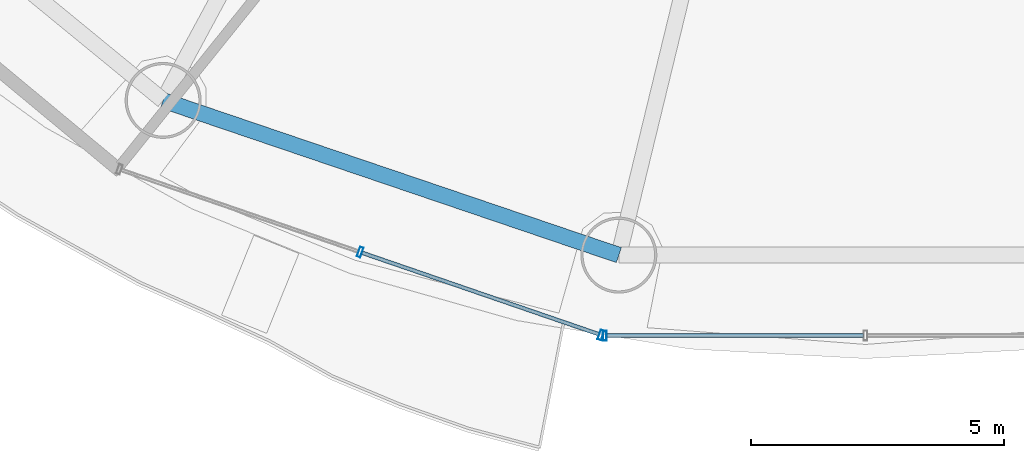
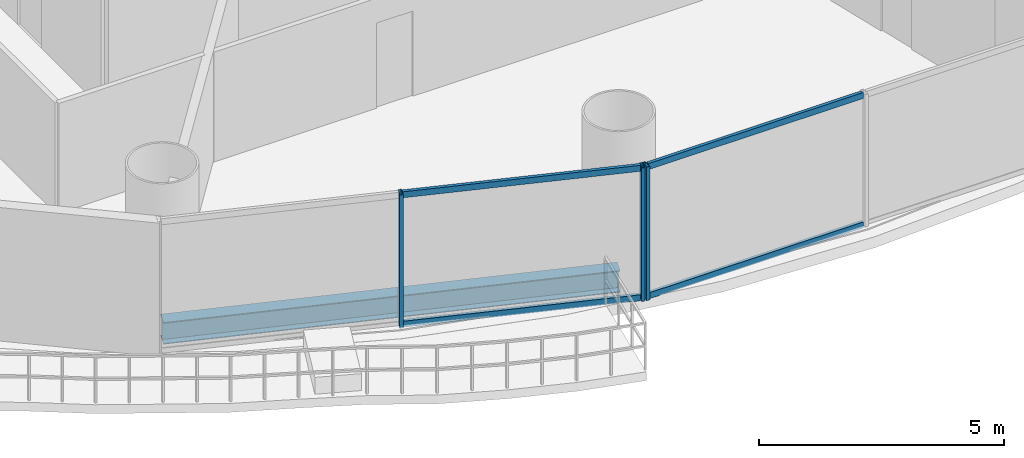
# One storey, part 4 of 29: 7 members, 1 beam, 2 elements without a shape of their own.
"""IFC4 building model written with IfcOpenShell, lengths in metres."""

from ifc_helpers import new_model, si_unit, direction, frame, origin, origin_2d, place, context, subcontext, project, spatial, hollow_rectangle, i_section, extrude, source, transform, mapped, material, material_profile, profile_set, type_object, element, aggregate, save


model = new_model("IFC4")

# Units and contexts
model_context = context("Model", 3, precision=1e-05, world=origin(), true_north=direction((-0.2419218956, 0.970295726276)))
body_context = subcontext(model_context, "Body", "Model", "MODEL_VIEW")
ifc_project = project(units=[si_unit("LENGTHUNIT", "METRE"), si_unit("AREAUNIT", "SQUARE_METRE"), si_unit("VOLUMEUNIT", "CUBIC_METRE"), si_unit("PLANEANGLEUNIT", "RADIAN"), si_unit("MASSUNIT", "GRAM", prefix="KILO")], contexts=[model_context])

# Site, building, storey
site_placement = place(None, origin())
site = spatial("IfcSite", under=ifc_project, at=site_placement, CompositionType="ELEMENT")
building_placement = place(site_placement, origin())
building = spatial("IfcBuilding", under=site, at=building_placement, Name="Cobrevalo Terracotta Tower", CompositionType="ELEMENT")
storey_placement = place(building_placement, frame((0.0, 0.0, 119.39990234375)))
storey = spatial("IfcBuildingStorey", under=building, at=storey_placement, Name="L31", CompositionType="ELEMENT", Elevation=119.39990234375)

# Beam
ifc_material_1 = material(Name="Steel S355", Category="steel")
ifc_material_profile_1 = material_profile(ifc_material_1, i_section(OverallWidth=0.31201171875, OverallDepth=0.54296875, WebThickness=0.0126953125, FlangeThickness=0.020263671875, at=origin_2d()), Name="W 530x150")
ifc_profile_set_1 = profile_set([ifc_material_profile_1], Name="Steel S355")
beam_type = type_object("IfcBeamType", Name="Structural Spandrel W 530x150 (Steel S355)", PredefinedType="SPANDREL", material=ifc_profile_set_1)
beam_placement = place(storey_placement, frame((24.138427734375, 9.79638671875, -0.54638671875), z_axis=(0.94691835344, -0.321474154356, 0.0), x_axis=(0.321474154356, 0.94691835344, 0.0)))
element("IfcBeam", 1, at=beam_placement, inside=storey, type_object=beam_type, Name="L31 perimeter ring spandrel 11", PredefinedType="SPANDREL", context=body_context, shape_type="SweptSolid", body=[
    extrude(i_section(OverallWidth=0.31201171875, OverallDepth=0.54296875, WebThickness=0.0126953125, FlangeThickness=0.020263671875, at=origin_2d()), origin(), (0.0, 0.0, 1.0), 9.498291015625),
])

# Curtain wall, members
ifc_material_2 = material(Name="Anodized aluminium", Category="aluminium")
curtain_wall_type = type_object("IfcCurtainWallType", Name="Lower-tower unitised acoustic low-E curtain wall CW-U1", PredefinedType="NOTDEFINED", material=ifc_material_2)
curtain_wall_1_placement = place(storey_placement, origin())
curtain_wall_1 = element("IfcCurtainWall", 2, at=curtain_wall_1_placement, inside=storey, type_object=curtain_wall_type, Name="L31 curtain wall CW-L31-S11", PredefinedType="NOTDEFINED")
ifc_material_profile_2 = material_profile(ifc_material_2, hollow_rectangle(XDim=0.074951171875, YDim=0.14990234375, WallThickness=0.00439453125, at=origin_2d()), Name="CWT 75x150")
ifc_profile_set_2 = profile_set([ifc_material_profile_2], Name="Anodized aluminium")
member_type_1 = type_object("IfcMemberType", Name="Tower unitised aluminium transom 75x150", PredefinedType="USERDEFINED", material=ifc_profile_set_2)
shared_shape_1 = source(origin(), body_context, "Body", "SweptSolid", [
    extrude(hollow_rectangle(XDim=0.074951171875, YDim=0.14990234375, WallThickness=0.00439453125, at=origin_2d()), origin(), (0.0, 0.0, 1.0), 4.944580078125),
])
member_1_placement = place(storey_placement, frame((28.065185546875, 6.788818359375, 0.050048828125), z_axis=(0.945597859971, -0.32533780478, 0.0), x_axis=(0.32533780478, 0.945597859971, 0.0)))
member_1 = element("IfcMember", 3, at=member_1_placement, type_object=member_type_1, Name="CW-L31-S11 transom B02-T1", ObjectType="TRANSOM", PredefinedType="USERDEFINED", context=body_context, shape_type="MappedRepresentation", body=[
    mapped(shared_shape_1, transform((0.0, 0.0, 0.0), scale=1.0)),
])
member_2_placement = place(storey_placement, frame((28.065185546875, 6.788818359375, 3.275146484375), z_axis=(0.945597859971, -0.32533780478, 0.0), x_axis=(0.32533780478, 0.945597859971, 0.0)))
member_2 = element("IfcMember", 4, at=member_2_placement, type_object=member_type_1, Name="CW-L31-S11 transom B02-T2", ObjectType="TRANSOM", PredefinedType="USERDEFINED", context=body_context, shape_type="MappedRepresentation", body=[
    mapped(shared_shape_1, transform((0.0, 0.0, 0.0), scale=1.0)),
])

curtain_wall_2_placement = place(storey_placement, origin())
curtain_wall_2 = element("IfcCurtainWall", 5, at=curtain_wall_2_placement, inside=storey, type_object=curtain_wall_type, Name="L31 curtain wall CW-L31-S12", PredefinedType="NOTDEFINED")
shared_shape_2 = source(origin(), body_context, "Body", "SweptSolid", [
    extrude(hollow_rectangle(XDim=0.074951171875, YDim=0.14990234375, WallThickness=0.00439453125, at=origin_2d()), origin(), (0.0, 0.0, 1.0), 5.0634765625),
])
member_3_placement = place(storey_placement, frame((32.896484375, 5.154052734375, 0.050048828125), z_axis=(1.0, 0.0, 0.0), x_axis=(0.0, 1.0, 0.0)))
member_3 = element("IfcMember", 6, at=member_3_placement, type_object=member_type_1, Name="CW-L31-S12 transom B01-T1", ObjectType="TRANSOM", PredefinedType="USERDEFINED", context=body_context, shape_type="MappedRepresentation", body=[
    mapped(shared_shape_2, transform((0.0, 0.0, 0.0), scale=1.0)),
])
member_4_placement = place(storey_placement, frame((32.896484375, 5.154052734375, 3.275146484375), z_axis=(1.0, 0.0, 0.0), x_axis=(0.0, 1.0, 0.0)))
member_4 = element("IfcMember", 7, at=member_4_placement, type_object=member_type_1, Name="CW-L31-S12 transom B01-T2", ObjectType="TRANSOM", PredefinedType="USERDEFINED", context=body_context, shape_type="MappedRepresentation", body=[
    mapped(shared_shape_2, transform((0.0, 0.0, 0.0), scale=1.0)),
])

# Member
ifc_material_profile_3 = material_profile(ifc_material_2, hollow_rectangle(XDim=0.074951171875, YDim=0.199951171875, WallThickness=0.0048828125, at=origin_2d()), Name="CWM 75x200")
ifc_profile_set_3 = profile_set([ifc_material_profile_3], Name="Anodized aluminium")
member_type_2 = type_object("IfcMemberType", Name="Lower/mid tower unitised mullion 75x200", PredefinedType="MULLION", material=ifc_profile_set_3)
shared_shape_3 = source(origin(), body_context, "Body", "SweptSolid", [
    extrude(hollow_rectangle(XDim=0.074951171875, YDim=0.199951171875, WallThickness=0.0048828125, at=origin_2d()), origin(), (0.0, 0.0, 1.0), 3.3251953125),
])
member_5_placement = place(storey_placement, frame((28.027587890625, 6.8017578125, 0.0), z_axis=(0.0, 0.0, 1.0), x_axis=(0.94559809868, -0.325337110968, 0.0)))
member_5 = element("IfcMember", 8, at=member_5_placement, type_object=member_type_2, Name="CW-L31-S11 vertical mullion 02", PredefinedType="MULLION", context=body_context, shape_type="MappedRepresentation", body=[
    mapped(shared_shape_3, transform((0.0, 0.0, 0.0), scale=1.0)),
])

member_6_placement = place(storey_placement, frame((32.778564453125, 5.1669921875, 0.0), z_axis=(0.0, 0.0, 1.0), x_axis=(0.94559809868, -0.325337110968, 0.0)))
member_6 = element("IfcMember", 9, at=member_6_placement, type_object=member_type_2, Name="CW-L31-S11 vertical mullion 03", PredefinedType="MULLION", context=body_context, shape_type="MappedRepresentation", body=[
    mapped(shared_shape_3, transform((0.0, 0.0, 0.0), scale=1.0)),
])

aggregate(curtain_wall_1, [member_5, member_6, member_1, member_2])

member_7_placement = place(storey_placement, frame((32.8564453125, 5.154052734375, 0.0), z_axis=(0.0, 0.0, 1.0), x_axis=(1.0, 0.0, 0.0)))
member_7 = element("IfcMember", 10, at=member_7_placement, type_object=member_type_2, Name="CW-L31-S12 vertical mullion 01", PredefinedType="MULLION", context=body_context, shape_type="MappedRepresentation", body=[
    mapped(shared_shape_3, transform((0.0, 0.0, 0.0), scale=1.0)),
])

aggregate(curtain_wall_2, [member_7, member_3, member_4])

save(model, "model.ifc")
